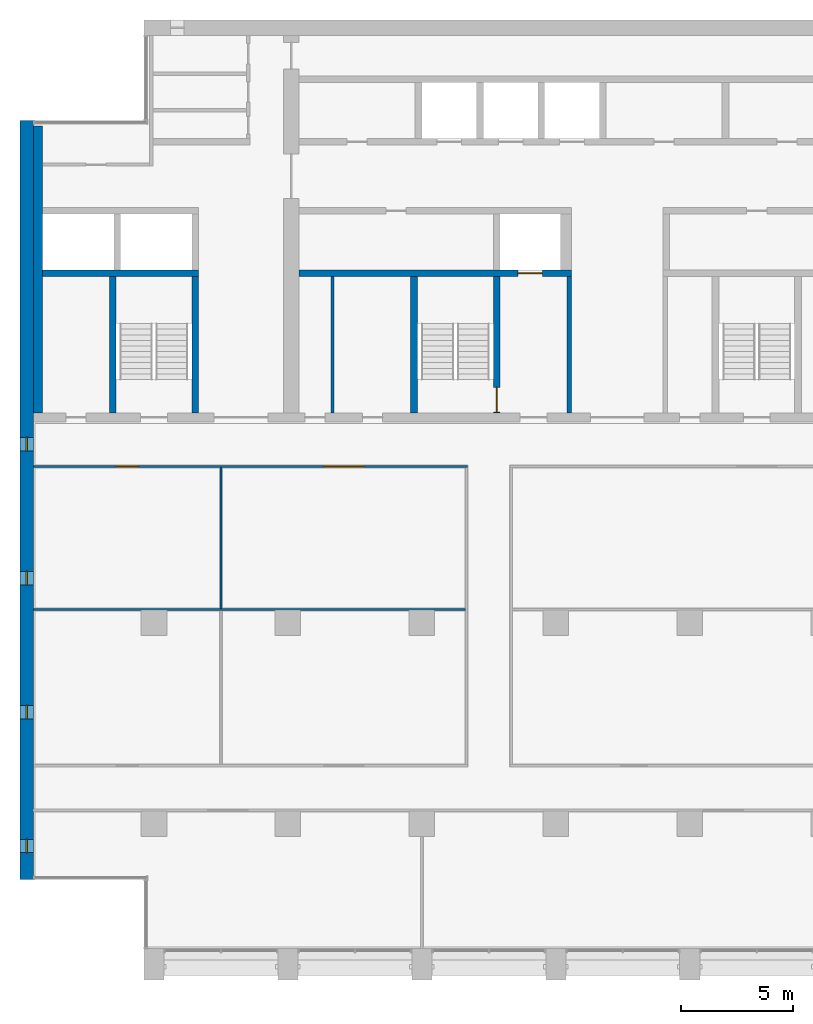
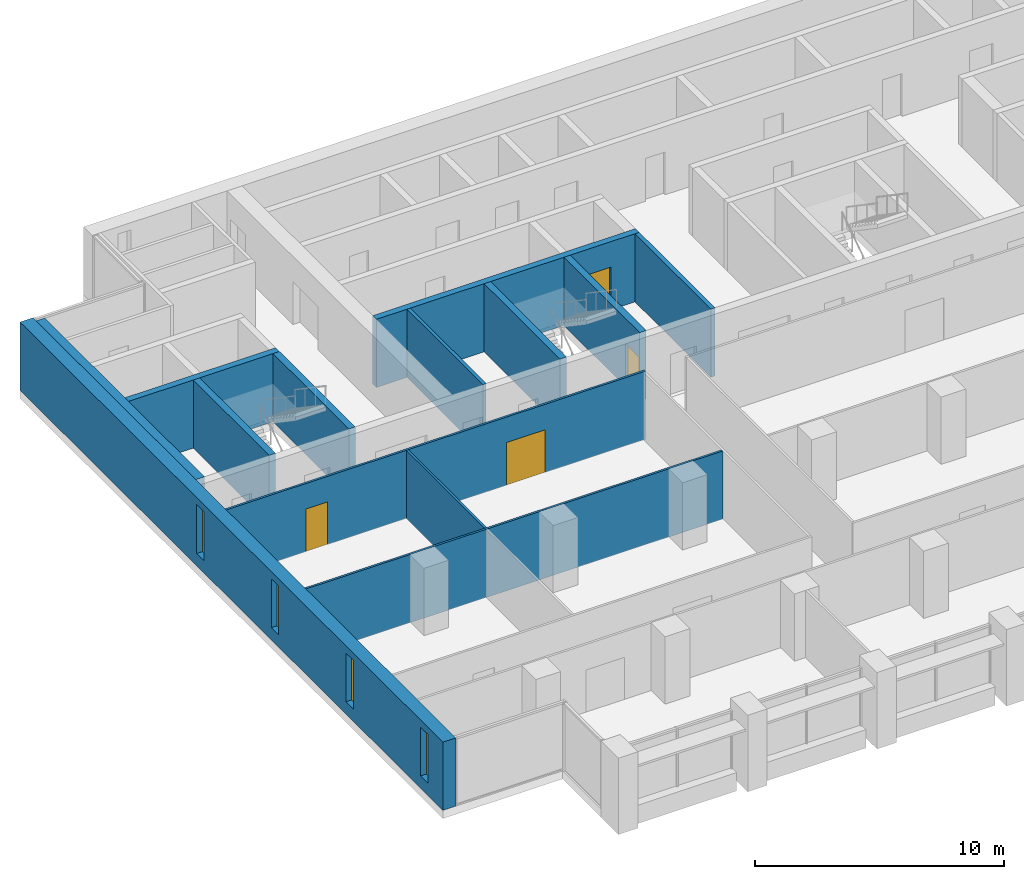
# One storey, part 8 of 16: 13 walls, 4 doors, 4 windows, 8 openings.
"""IFC4 building model written with IfcOpenShell, lengths in metres."""

from ifc_helpers import new_model, si_unit, direction, frame, frame_2d, origin, place, context, subcontext, project, spatial, rectangle, extrude, material, layer, layer_set, type_object, element, fill, save


model = new_model("IFC4")

# Units and contexts
model_context = context("Model", 3, precision=1e-05, world=origin(), true_north=direction((0.0, 1.0)))
body_context = subcontext(model_context, "Body", "Model", "MODEL_VIEW")
ifc_project = project(units=[si_unit("LENGTHUNIT", "METRE"), si_unit("AREAUNIT", "SQUARE_METRE"), si_unit("VOLUMEUNIT", "CUBIC_METRE"), si_unit("PLANEANGLEUNIT", "RADIAN"), si_unit("MASSUNIT", "GRAM", prefix="KILO")], contexts=[model_context])

# Site, building, storey
site_placement = place(None, origin())
site = spatial("IfcSite", under=ifc_project, at=site_placement, CompositionType="ELEMENT")
building_placement = place(site_placement, origin())
building = spatial("IfcBuilding", under=site, at=building_placement, Name="Calvaro Tower", CompositionType="ELEMENT")
storey_placement = place(building_placement, frame((0.0, 0.0, 178.0)))
storey = spatial("IfcBuildingStorey", under=building, at=storey_placement, Name="L44", CompositionType="ELEMENT", Elevation=178.0)

# Walls
ifc_material_1 = material(Name="Blockwork partition", Category="masonry")
ifc_layer_1 = layer(ifc_material_1, 0.14990234375)
ifc_layer_set_1 = layer_set([ifc_layer_1], Name="Blockwork partition")
wall_type_1 = type_object("IfcWallType", Name="Core partition 150 REI 120", PredefinedType="PARTITIONING", material=ifc_layer_set_1)
wall_1_placement = place(storey_placement, frame((20.0, 28.39990234375, 0.0), z_axis=(0.0, 0.0, 1.0), x_axis=(0.0, 1.0, 0.0)))
element("IfcWall", 1, at=wall_1_placement, inside=storey, type_object=wall_type_1, Name="Core partition", PredefinedType="PARTITIONING", context=body_context, shape_type="SweptSolid", body=[
    extrude(rectangle(XDim=6.10009765625, YDim=0.14990234375, at=frame_2d((3.050048828125, 0.0))), origin(), (0.0, 0.0, 1.0), 3.35009765625),
])
ifc_material_2 = material(Name="Blockwork partition", Category="masonry")
ifc_layer_2 = layer(ifc_material_2, 0.199951171875)
ifc_layer_set_2 = layer_set([ifc_layer_2], Name="Blockwork partition")
wall_type_2 = type_object("IfcWallType", Name="Core partition 200 REI 120", PredefinedType="PARTITIONING", material=ifc_layer_set_2)
wall_2_placement = place(storey_placement, frame((30.60009765625, 28.39990234375, 0.0), z_axis=(0.0, 0.0, 1.0), x_axis=(0.0, 1.0, 0.0)))
element("IfcWall", 2, at=wall_2_placement, inside=storey, type_object=wall_type_2, Name="Core partition", PredefinedType="PARTITIONING", context=body_context, shape_type="SweptSolid", body=[
    extrude(rectangle(XDim=6.10009765625, YDim=0.199951171875, at=frame_2d((3.050048828125, 0.0))), origin(), (0.0, 0.0, 1.0), 3.35009765625),
])
ifc_material_3 = material(Name="Concrete C50/60", Category="concrete")
ifc_layer_3 = layer(ifc_material_3, 0.300048828125)
ifc_layer_set_3 = layer_set([ifc_layer_3], Name="Concrete C50/60")
wall_type_3 = type_object("IfcWallType", Name="Core wall C50/60 300", PredefinedType="SHEAR", material=ifc_layer_set_3)
for number, where, z_axis, x_axis, name in (
    (3, (10.14990234375, 28.39990234375, 0.0), (0.0, 0.0, 1.0), (0.0, 1.0, 0.0), "Core wall, stair enclosure"),
    (4, (13.85009765625, 28.39990234375, 0.0), (0.0, 0.0, 1.0), (0.0, 1.0, 0.0), "Core wall, stair enclosure"),
    (5, (23.64990234375, 28.39990234375, 0.0), (0.0, 0.0, 1.0), (0.0, 1.0, 0.0), "Core wall, stair enclosure"),
):
    element("IfcWall", number, at=place(storey_placement, frame(where, z_axis=z_axis, x_axis=x_axis)), inside=storey, type_object=wall_type_3, Name=name, PredefinedType="SHEAR", context=body_context, shape_type="SweptSolid", body=[
        extrude(rectangle(XDim=6.10009765625, YDim=0.300048828125, at=frame_2d((3.050048828125, 0.0))), origin(), (0.0, 0.0, 1.0), 3.35009765625),
    ])

# Wall, opening, door
wall_3_placement = place(storey_placement, frame((27.35009765625, 28.39990234375, 0.0), z_axis=(0.0, 0.0, 1.0), x_axis=(0.0, 1.0, 0.0)))
wall_3 = element("IfcWall", 6, at=wall_3_placement, inside=storey, type_object=wall_type_3, Name="Core wall, stair enclosure", PredefinedType="SHEAR", context=body_context, shape_type="SweptSolid", body=[
    extrude(rectangle(XDim=6.10009765625, YDim=0.300048828125, at=frame_2d((3.050048828125, 0.0))), origin(), (0.0, 0.0, 1.0), 3.35009765625),
])
opening_1_placement = place(wall_3_placement, frame((0.050048828125, 0.0, 0.0)))
opening_1 = element("IfcOpeningElement", 7, at=opening_1_placement, cuts=wall_3, Name="Opening FD11D", PredefinedType="OPENING", context=body_context, shape_type="SweptSolid", body=[
    extrude(rectangle(XDim=1.10009765625, YDim=2.10009765625, at=frame_2d((0.550048828125, 1.050048828125))), frame((0.0, 0.159912109375, 0.0), z_axis=(0.0, -1.0, 0.0), x_axis=(1.0, 0.0, 0.0)), (0.0, 0.0, 1.0), 0.320068359375),
])
ifc_material_4 = material(Name="Steel door set", Category="steel")
door_type_1 = type_object("IfcDoorType", Name="Fire door 1100 FD30S", OperationType="SINGLE_SWING_LEFT", PredefinedType="DOOR", material=ifc_material_4)
door_1_placement = place(opening_1_placement, origin())
door_1 = element("IfcDoor", 8, at=door_1_placement, inside=storey, type_object=door_type_1, Name="Fire door", OperationType="SINGLE_SWING_LEFT", OverallHeight=2.10009765625, OverallWidth=1.10009765625, PredefinedType="DOOR", context=body_context, shape_type="SweptSolid", body=[
    extrude(rectangle(XDim=1.10009765625, YDim=2.10009765625, at=frame_2d((0.550048828125, 1.050048828125))), frame((0.0, 0.02490234375, 0.0), z_axis=(0.0, -1.0, 0.0), x_axis=(1.0, 0.0, 0.0)), (0.0, 0.0, 1.0), 0.050048828125),
])
fill(opening_1, door_1)

# Wall
wall_4_placement = place(storey_placement, frame((7.0, 34.64990234375, 0.0), z_axis=(0.0, 0.0, 1.0), x_axis=(1.0, 0.0, 0.0)))
element("IfcWall", 9, at=wall_4_placement, inside=storey, type_object=wall_type_3, Name="Core wall, lift shaft", PredefinedType="SHEAR", context=body_context, shape_type="SweptSolid", body=[
    extrude(rectangle(XDim=7.0, YDim=0.300048828125, at=frame_2d((3.5, 0.0))), origin(), (0.0, 0.0, 1.0), 3.35009765625),
])

# Wall, opening, door
wall_5_placement = place(storey_placement, frame((18.5, 34.64990234375, 0.0), z_axis=(0.0, 0.0, 1.0), x_axis=(1.0, 0.0, 0.0)))
wall_5 = element("IfcWall", 10, at=wall_5_placement, inside=storey, type_object=wall_type_3, Name="Core wall, lift shaft", PredefinedType="SHEAR", context=body_context, shape_type="SweptSolid", body=[
    extrude(rectangle(XDim=12.199951171875, YDim=0.300048828125, at=frame_2d((6.10009765625, 0.0))), origin(), (0.0, 0.0, 1.0), 3.35009765625),
])
opening_2_placement = place(wall_5_placement, frame((9.800048828125, 0.0, 0.0)))
opening_2 = element("IfcOpeningElement", 11, at=opening_2_placement, cuts=wall_5, Name="Opening FF1", PredefinedType="OPENING", context=body_context, shape_type="SweptSolid", body=[
    extrude(rectangle(XDim=1.10009765625, YDim=2.10009765625, at=frame_2d((0.550048828125, 1.050048828125))), frame((0.0, 0.159912109375, 0.0), z_axis=(0.0, -1.0, 0.0), x_axis=(1.0, 0.0, 0.0)), (0.0, 0.0, 1.0), 0.320068359375),
])
ifc_material_5 = material(Name="Stainless steel", Category="steel")
door_type_2 = type_object("IfcDoorType", Name="Landing door 1100 E 60", OperationType="SLIDING_TO_LEFT", PredefinedType="DOOR", material=ifc_material_5)
door_2_placement = place(opening_2_placement, origin())
door_2 = element("IfcDoor", 12, at=door_2_placement, inside=storey, type_object=door_type_2, Name="Landing door FF1", OperationType="SLIDING_TO_LEFT", OverallHeight=2.10009765625, OverallWidth=1.10009765625, PredefinedType="DOOR", context=body_context, shape_type="SweptSolid", body=[
    extrude(rectangle(XDim=1.10009765625, YDim=2.10009765625, at=frame_2d((0.550048828125, 1.050048828125))), frame((0.0, 0.02490234375, 0.0), z_axis=(0.0, -1.0, 0.0), x_axis=(1.0, 0.0, 0.0)), (0.0, 0.0, 1.0), 0.050048828125),
])
fill(opening_2, door_2)

# Wall
ifc_material_6 = material(Name="Concrete C50/60", Category="concrete")
ifc_layer_4 = layer(ifc_material_6, 0.39990234375)
ifc_layer_set_4 = layer_set([ifc_layer_4], Name="Concrete C50/60")
wall_type_4 = type_object("IfcWallType", Name="Core wall C50/60 400", PredefinedType="SHEAR", material=ifc_layer_set_4)
wall_6_placement = place(storey_placement, frame((6.800048828125, 28.39990234375, 0.0), z_axis=(0.0, 0.0, 1.0), x_axis=(0.0, 1.0, 0.0)))
element("IfcWall", 13, at=wall_6_placement, inside=storey, type_object=wall_type_4, Name="Core wall, boundary", PredefinedType="SHEAR", context=body_context, shape_type="SweptSolid", body=[
    extrude(rectangle(XDim=12.85009765625, YDim=0.39990234375, at=frame_2d((6.425048828125, 0.0))), origin(), (0.0, 0.0, 1.0), 3.35009765625),
])

# Wall, openings, windows
ifc_material_7 = material(Name="Concrete C50/60", Category="concrete")
ifc_layer_5 = layer(ifc_material_7, 0.60009765625)
ifc_layer_set_5 = layer_set([ifc_layer_5], Name="Concrete C50/60")
wall_type_5 = type_object("IfcWallType", Name="End wall 600 C50/60", PredefinedType="SHEAR", material=ifc_layer_set_5)
wall_7_placement = place(storey_placement, frame((6.300048828125, 7.5, 0.0), z_axis=(0.0, 0.0, 1.0), x_axis=(0.0, 1.0, 0.0)))
wall_7 = element("IfcWall", 14, at=wall_7_placement, inside=storey, type_object=wall_type_5, Name="End shear wall", PredefinedType="SHEAR", context=body_context, shape_type="SweptSolid", body=[
    extrude(rectangle(XDim=34.0, YDim=0.60009765625, at=frame_2d((17.0, 0.0))), origin(), (0.0, 0.0, 1.0), 3.35009765625),
])
opening_3_placement = place(wall_7_placement, frame((1.199951171875, 0.0, 0.60009765625)))
opening_3 = element("IfcOpeningElement", 15, at=opening_3_placement, cuts=wall_7, Name="Opening WW01", PredefinedType="OPENING", context=body_context, shape_type="SweptSolid", body=[
    extrude(rectangle(XDim=0.60009765625, YDim=2.39990234375, at=frame_2d((0.300048828125, 1.199951171875))), frame((0.0, 0.31005859375, 0.0), z_axis=(0.0, -1.0, 0.0), x_axis=(1.0, 0.0, 0.0)), (0.0, 0.0, 1.0), 0.6201171875),
])
opening_4_placement = place(wall_7_placement, frame((7.199951171875, 0.0, 0.60009765625)))
opening_4 = element("IfcOpeningElement", 16, at=opening_4_placement, cuts=wall_7, Name="Opening WW02", PredefinedType="OPENING", context=body_context, shape_type="SweptSolid", body=[
    extrude(rectangle(XDim=0.60009765625, YDim=2.39990234375, at=frame_2d((0.300048828125, 1.199951171875))), frame((0.0, 0.31005859375, 0.0), z_axis=(0.0, -1.0, 0.0), x_axis=(1.0, 0.0, 0.0)), (0.0, 0.0, 1.0), 0.6201171875),
])
opening_5_placement = place(wall_7_placement, frame((13.199951171875, 0.0, 0.60009765625)))
opening_5 = element("IfcOpeningElement", 17, at=opening_5_placement, cuts=wall_7, Name="Opening WW03", PredefinedType="OPENING", context=body_context, shape_type="SweptSolid", body=[
    extrude(rectangle(XDim=0.60009765625, YDim=2.39990234375, at=frame_2d((0.300048828125, 1.199951171875))), frame((0.0, 0.31005859375, 0.0), z_axis=(0.0, -1.0, 0.0), x_axis=(1.0, 0.0, 0.0)), (0.0, 0.0, 1.0), 0.6201171875),
])
opening_6_placement = place(wall_7_placement, frame((19.199951171875, 0.0, 0.60009765625)))
opening_6 = element("IfcOpeningElement", 18, at=opening_6_placement, cuts=wall_7, Name="Opening WW04", PredefinedType="OPENING", context=body_context, shape_type="SweptSolid", body=[
    extrude(rectangle(XDim=0.60009765625, YDim=2.39990234375, at=frame_2d((0.300048828125, 1.199951171875))), frame((0.0, 0.31005859375, 0.0), z_axis=(0.0, -1.0, 0.0), x_axis=(1.0, 0.0, 0.0)), (0.0, 0.0, 1.0), 0.6201171875),
])
ifc_material_8 = material(Name="Glass", Category="glass")
window_type = type_object("IfcWindowType", Name="Slit window 600 x 2400", PartitioningType="SINGLE_PANEL", PredefinedType="WINDOW", material=ifc_material_8)
window_1_placement = place(opening_3_placement, origin())
window_1 = element("IfcWindow", 19, at=window_1_placement, inside=storey, type_object=window_type, Name="Window WW01", OverallHeight=2.39990234375, OverallWidth=0.60009765625, PartitioningType="SINGLE_PANEL", PredefinedType="WINDOW", context=body_context, shape_type="SweptSolid", body=[
    extrude(rectangle(XDim=0.60009765625, YDim=2.39990234375, at=frame_2d((0.300048828125, 1.199951171875))), frame((0.0, 0.030029296875, 0.0), z_axis=(0.0, -1.0, 0.0), x_axis=(1.0, 0.0, 0.0)), (0.0, 0.0, 1.0), 0.06005859375),
])
fill(opening_3, window_1)
window_2_placement = place(opening_4_placement, origin())
window_2 = element("IfcWindow", 20, at=window_2_placement, inside=storey, type_object=window_type, Name="Window WW02", OverallHeight=2.39990234375, OverallWidth=0.60009765625, PartitioningType="SINGLE_PANEL", PredefinedType="WINDOW", context=body_context, shape_type="SweptSolid", body=[
    extrude(rectangle(XDim=0.60009765625, YDim=2.39990234375, at=frame_2d((0.300048828125, 1.199951171875))), frame((0.0, 0.030029296875, 0.0), z_axis=(0.0, -1.0, 0.0), x_axis=(1.0, 0.0, 0.0)), (0.0, 0.0, 1.0), 0.06005859375),
])
fill(opening_4, window_2)
window_3_placement = place(opening_5_placement, origin())
window_3 = element("IfcWindow", 21, at=window_3_placement, inside=storey, type_object=window_type, Name="Window WW03", OverallHeight=2.39990234375, OverallWidth=0.60009765625, PartitioningType="SINGLE_PANEL", PredefinedType="WINDOW", context=body_context, shape_type="SweptSolid", body=[
    extrude(rectangle(XDim=0.60009765625, YDim=2.39990234375, at=frame_2d((0.300048828125, 1.199951171875))), frame((0.0, 0.030029296875, 0.0), z_axis=(0.0, -1.0, 0.0), x_axis=(1.0, 0.0, 0.0)), (0.0, 0.0, 1.0), 0.06005859375),
])
fill(opening_5, window_3)
window_4_placement = place(opening_6_placement, origin())
window_4 = element("IfcWindow", 22, at=window_4_placement, inside=storey, type_object=window_type, Name="Window WW04", OverallHeight=2.39990234375, OverallWidth=0.60009765625, PartitioningType="SINGLE_PANEL", PredefinedType="WINDOW", context=body_context, shape_type="SweptSolid", body=[
    extrude(rectangle(XDim=0.60009765625, YDim=2.39990234375, at=frame_2d((0.300048828125, 1.199951171875))), frame((0.0, 0.030029296875, 0.0), z_axis=(0.0, -1.0, 0.0), x_axis=(1.0, 0.0, 0.0)), (0.0, 0.0, 1.0), 0.06005859375),
])
fill(opening_6, window_4)

# Wall
ifc_material_9 = material(Name="Plasterboard on steel studs", Category="steel")
ifc_layer_6 = layer(ifc_material_9, 0.10009765625)
ifc_layer_set_6 = layer_set([ifc_layer_6], Name="Plasterboard on steel studs")
wall_type_6 = type_object("IfcWallType", Name="Partition 100", PredefinedType="PARTITIONING", material=ifc_layer_set_6)
wall_8_placement = place(storey_placement, frame((6.60009765625, 19.60009765625, 0.0), z_axis=(0.0, 0.0, 1.0), x_axis=(1.0, 0.0, 0.0)))
element("IfcWall", 23, at=wall_8_placement, inside=storey, type_object=wall_type_6, Name="Partition T26.W005", PredefinedType="PARTITIONING", context=body_context, shape_type="SweptSolid", body=[
    extrude(rectangle(XDim=19.349853515625, YDim=0.10009765625, at=frame_2d((9.6748046875, 0.0))), origin(), (0.0, 0.0, 1.0), 3.35009765625),
])

# Wall, openings, doors
wall_9_placement = place(storey_placement, frame((6.60009765625, 26.0, 0.0), z_axis=(0.0, 0.0, 1.0), x_axis=(1.0, 0.0, 0.0)))
wall_9 = element("IfcWall", 24, at=wall_9_placement, inside=storey, type_object=wall_type_6, Name="Partition T26.W008", PredefinedType="PARTITIONING", context=body_context, shape_type="SweptSolid", body=[
    extrude(rectangle(XDim=19.449951171875, YDim=0.10009765625, at=frame_2d((9.72509765625, 0.0))), origin(), (0.0, 0.0, 1.0), 3.35009765625),
])
opening_7_placement = place(wall_9_placement, frame((3.699951171875, 0.0, 0.0)))
opening_7 = element("IfcOpeningElement", 25, at=opening_7_placement, cuts=wall_9, Name="Opening T26.009", PredefinedType="OPENING", context=body_context, shape_type="SweptSolid", body=[
    extrude(rectangle(XDim=1.0, YDim=2.10009765625, at=frame_2d((0.5, 1.050048828125))), frame((0.0, 0.06005859375, 0.0), z_axis=(0.0, -1.0, 0.0), x_axis=(1.0, 0.0, 0.0)), (0.0, 0.0, 1.0), 0.1201171875),
])
opening_8_placement = place(wall_9_placement, frame((13.0, 0.0, 0.0)))
opening_8 = element("IfcOpeningElement", 26, at=opening_8_placement, cuts=wall_9, Name="Opening T26.010", PredefinedType="OPENING", context=body_context, shape_type="SweptSolid", body=[
    extrude(rectangle(XDim=1.800048828125, YDim=2.10009765625, at=frame_2d((0.89990234375, 1.050048828125))), frame((0.0, 0.06005859375, 0.0), z_axis=(0.0, -1.0, 0.0), x_axis=(1.0, 0.0, 0.0)), (0.0, 0.0, 1.0), 0.1201171875),
])
ifc_material_10 = material(Name="Timber", Category="wood")
door_type_3 = type_object("IfcDoorType", Name="Internal double door 1800 x 2100", OperationType="DOUBLE_DOOR_SINGLE_SWING", PredefinedType="DOOR", material=ifc_material_10)
door_3_placement = place(opening_8_placement, origin())
door_3 = element("IfcDoor", 27, at=door_3_placement, inside=storey, type_object=door_type_3, Name="Door T26.010", OperationType="DOUBLE_DOOR_SINGLE_SWING", OverallHeight=2.10009765625, OverallWidth=1.800048828125, PredefinedType="DOOR", context=body_context, shape_type="SweptSolid", body=[
    extrude(rectangle(XDim=1.800048828125, YDim=2.10009765625, at=frame_2d((0.89990234375, 1.050048828125))), frame((0.0, 0.02490234375, 0.0), z_axis=(0.0, -1.0, 0.0), x_axis=(1.0, 0.0, 0.0)), (0.0, 0.0, 1.0), 0.050048828125),
])
fill(opening_8, door_3)
ifc_material_11 = material(Name="Timber", Category="wood")
door_type_4 = type_object("IfcDoorType", Name="Internal single door 1000 x 2100", OperationType="SINGLE_SWING_LEFT", PredefinedType="DOOR", material=ifc_material_11)
door_4_placement = place(opening_7_placement, origin())
door_4 = element("IfcDoor", 28, at=door_4_placement, inside=storey, type_object=door_type_4, Name="Door T26.009", OperationType="SINGLE_SWING_LEFT", OverallHeight=2.10009765625, OverallWidth=1.0, PredefinedType="DOOR", context=body_context, shape_type="SweptSolid", body=[
    extrude(rectangle(XDim=1.0, YDim=2.10009765625, at=frame_2d((0.5, 1.050048828125))), frame((0.0, 0.02490234375, 0.0), z_axis=(0.0, -1.0, 0.0), x_axis=(1.0, 0.0, 0.0)), (0.0, 0.0, 1.0), 0.050048828125),
])
fill(opening_7, door_4)

# Wall
wall_10_placement = place(storey_placement, frame((15.0, 19.64990234375, 0.0), z_axis=(0.0, 0.0, 1.0), x_axis=(0.0, 1.0, 0.0)))
element("IfcWall", 29, at=wall_10_placement, inside=storey, type_object=wall_type_6, Name="Partition T26.W013", PredefinedType="PARTITIONING", context=body_context, shape_type="SweptSolid", body=[
    extrude(rectangle(XDim=6.300048828125, YDim=0.10009765625, at=frame_2d((3.14990234375, 0.0))), origin(), (0.0, 0.0, 1.0), 3.35009765625),
])

save(model, "model.ifc")
